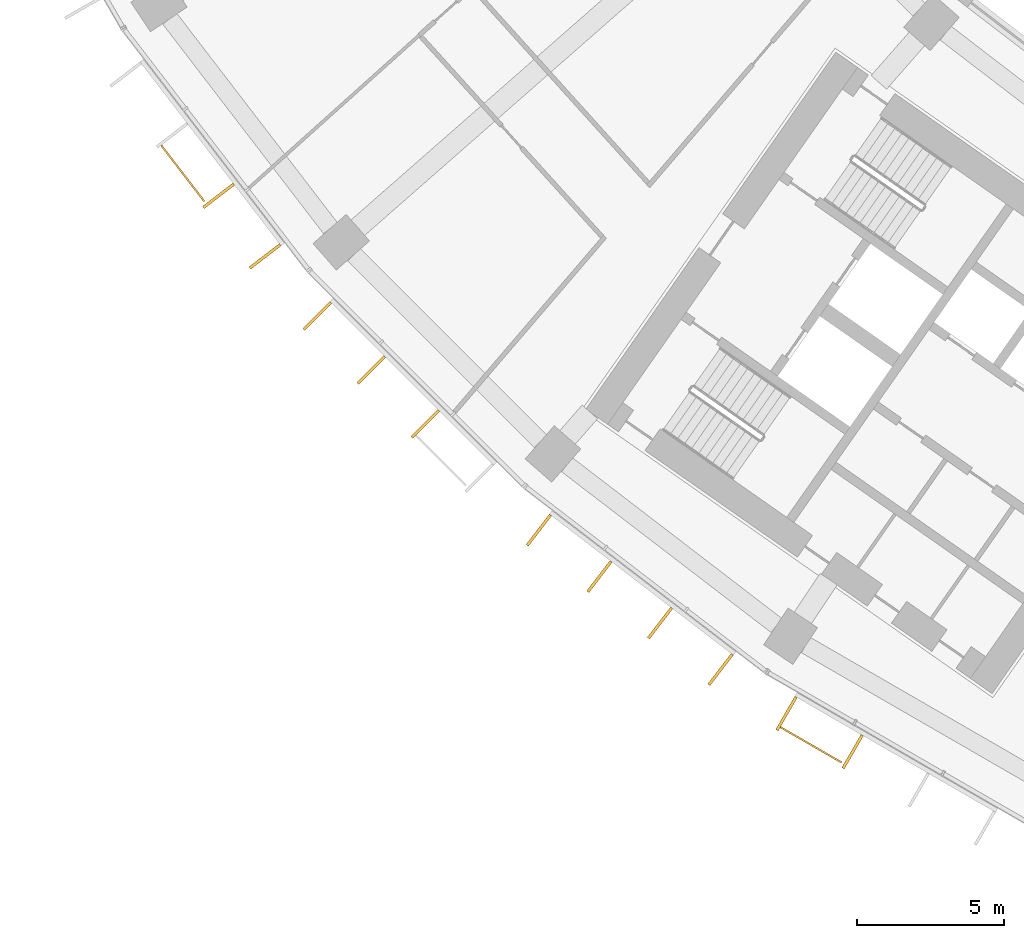
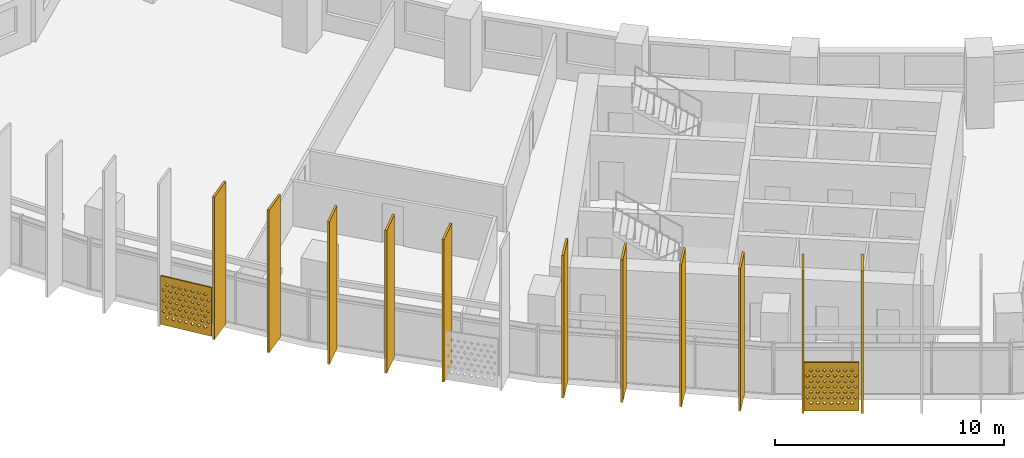
# One storey, part 24 of 30: 13 shading devices.
"""IFC4 building model written with IfcOpenShell, lengths in metres."""

from ifc_helpers import new_model, si_unit, direction, frame, origin, origin_2d, place, context, subcontext, project, spatial, polyline, rectangle, outline, extrude, material, material_profile, profile_set, type_object, element, save


model = new_model("IFC4")

# Units and contexts
model_context = context("Model", 3, precision=1e-05, world=origin(), true_north=direction((0.0, 1.0)))
body_context = subcontext(model_context, "Body", "Model", "MODEL_VIEW")
ifc_project = project(units=[si_unit("LENGTHUNIT", "METRE"), si_unit("AREAUNIT", "SQUARE_METRE"), si_unit("VOLUMEUNIT", "CUBIC_METRE"), si_unit("PLANEANGLEUNIT", "RADIAN"), si_unit("MASSUNIT", "GRAM", prefix="KILO")], contexts=[model_context])

# Site, building, storey
site_placement = place(None, origin())
site = spatial("IfcSite", under=ifc_project, at=site_placement, CompositionType="ELEMENT")
building_placement = place(site_placement, origin())
building = spatial("IfcBuilding", under=site, at=building_placement, Name="Qamariyya Broadcast Tower", CompositionType="ELEMENT")
storey_placement = place(building_placement, frame((0.0, 0.0, 125.300048828125)))
storey = spatial("IfcBuildingStorey", under=building, at=storey_placement, Name="L28", CompositionType="ELEMENT", Elevation=125.300048828125)

# Shading devices
ifc_material_1 = material(Name="Perforated glazed terracotta", Category="masonry")
ifc_material_profile_1 = material_profile(ifc_material_1, outline(polyline([(-1.199951171875, -1.300048828125), (1.199951171875, -1.300048828125), (1.199951171875, 1.300048828125), (-1.199951171875, 1.300048828125), (-1.199951171875, -1.300048828125)]), holes=[polyline([(-0.81494140625, -0.86669921875), (-0.89990234375, -0.78173828125), (-0.985107421875, -0.86669921875), (-0.89990234375, -0.95166015625), (-0.81494140625, -0.86669921875)]), polyline([(-0.514892578125, -0.86669921875), (-0.60009765625, -0.78173828125), (-0.68505859375, -0.86669921875), (-0.60009765625, -0.95166015625), (-0.514892578125, -0.86669921875)]), polyline([(-0.215087890625, -0.86669921875), (-0.300048828125, -0.78173828125), (-0.385009765625, -0.86669921875), (-0.300048828125, -0.95166015625), (-0.215087890625, -0.86669921875)]), polyline([(0.0849609375, -0.86669921875), (0.0, -0.78173828125), (-0.0849609375, -0.86669921875), (0.0, -0.95166015625), (0.0849609375, -0.86669921875)]), polyline([(0.385009765625, -0.86669921875), (0.300048828125, -0.78173828125), (0.215087890625, -0.86669921875), (0.300048828125, -0.95166015625), (0.385009765625, -0.86669921875)]), polyline([(0.68505859375, -0.86669921875), (0.60009765625, -0.78173828125), (0.514892578125, -0.86669921875), (0.60009765625, -0.95166015625), (0.68505859375, -0.86669921875)]), polyline([(0.985107421875, -0.86669921875), (0.89990234375, -0.78173828125), (0.81494140625, -0.86669921875), (0.89990234375, -0.95166015625), (0.985107421875, -0.86669921875)]), polyline([(-0.965087890625, -0.577880859375), (-1.050048828125, -0.49267578125), (-1.135009765625, -0.577880859375), (-1.050048828125, -0.662841796875), (-0.965087890625, -0.577880859375)]), polyline([(-0.6650390625, -0.577880859375), (-0.75, -0.49267578125), (-0.8349609375, -0.577880859375), (-0.75, -0.662841796875), (-0.6650390625, -0.577880859375)]), polyline([(-0.364990234375, -0.577880859375), (-0.449951171875, -0.49267578125), (-0.534912109375, -0.577880859375), (-0.449951171875, -0.662841796875), (-0.364990234375, -0.577880859375)]), polyline([(-0.06494140625, -0.577880859375), (-0.14990234375, -0.49267578125), (-0.235107421875, -0.577880859375), (-0.14990234375, -0.662841796875), (-0.06494140625, -0.577880859375)]), polyline([(0.235107421875, -0.577880859375), (0.14990234375, -0.49267578125), (0.06494140625, -0.577880859375), (0.14990234375, -0.662841796875), (0.235107421875, -0.577880859375)]), polyline([(0.534912109375, -0.577880859375), (0.449951171875, -0.49267578125), (0.364990234375, -0.577880859375), (0.449951171875, -0.662841796875), (0.534912109375, -0.577880859375)]), polyline([(0.8349609375, -0.577880859375), (0.75, -0.49267578125), (0.6650390625, -0.577880859375), (0.75, -0.662841796875), (0.8349609375, -0.577880859375)]), polyline([(1.135009765625, -0.577880859375), (1.050048828125, -0.49267578125), (0.965087890625, -0.577880859375), (1.050048828125, -0.662841796875), (1.135009765625, -0.577880859375)]), polyline([(-0.81494140625, -0.288818359375), (-0.89990234375, -0.203857421875), (-0.985107421875, -0.288818359375), (-0.89990234375, -0.373779296875), (-0.81494140625, -0.288818359375)]), polyline([(-0.514892578125, -0.288818359375), (-0.60009765625, -0.203857421875), (-0.68505859375, -0.288818359375), (-0.60009765625, -0.373779296875), (-0.514892578125, -0.288818359375)]), polyline([(-0.215087890625, -0.288818359375), (-0.300048828125, -0.203857421875), (-0.385009765625, -0.288818359375), (-0.300048828125, -0.373779296875), (-0.215087890625, -0.288818359375)]), polyline([(0.0849609375, -0.288818359375), (0.0, -0.203857421875), (-0.0849609375, -0.288818359375), (0.0, -0.373779296875), (0.0849609375, -0.288818359375)]), polyline([(0.385009765625, -0.288818359375), (0.300048828125, -0.203857421875), (0.215087890625, -0.288818359375), (0.300048828125, -0.373779296875), (0.385009765625, -0.288818359375)]), polyline([(0.68505859375, -0.288818359375), (0.60009765625, -0.203857421875), (0.514892578125, -0.288818359375), (0.60009765625, -0.373779296875), (0.68505859375, -0.288818359375)]), polyline([(0.985107421875, -0.288818359375), (0.89990234375, -0.203857421875), (0.81494140625, -0.288818359375), (0.89990234375, -0.373779296875), (0.985107421875, -0.288818359375)]), polyline([(-0.965087890625, 0.0), (-1.050048828125, 0.0849609375), (-1.135009765625, 0.0), (-1.050048828125, -0.0849609375), (-0.965087890625, 0.0)]), polyline([(-0.6650390625, 0.0), (-0.75, 0.0849609375), (-0.8349609375, 0.0), (-0.75, -0.0849609375), (-0.6650390625, 0.0)]), polyline([(-0.364990234375, 0.0), (-0.449951171875, 0.0849609375), (-0.534912109375, 0.0), (-0.449951171875, -0.0849609375), (-0.364990234375, 0.0)]), polyline([(-0.06494140625, 0.0), (-0.14990234375, 0.0849609375), (-0.235107421875, 0.0), (-0.14990234375, -0.0849609375), (-0.06494140625, 0.0)]), polyline([(0.235107421875, 0.0), (0.14990234375, 0.0849609375), (0.06494140625, 0.0), (0.14990234375, -0.0849609375), (0.235107421875, 0.0)]), polyline([(0.534912109375, 0.0), (0.449951171875, 0.0849609375), (0.364990234375, 0.0), (0.449951171875, -0.0849609375), (0.534912109375, 0.0)]), polyline([(0.8349609375, 0.0), (0.75, 0.0849609375), (0.6650390625, 0.0), (0.75, -0.0849609375), (0.8349609375, 0.0)]), polyline([(1.135009765625, 0.0), (1.050048828125, 0.0849609375), (0.965087890625, 0.0), (1.050048828125, -0.0849609375), (1.135009765625, 0.0)]), polyline([(-0.81494140625, 0.288818359375), (-0.89990234375, 0.373779296875), (-0.985107421875, 0.288818359375), (-0.89990234375, 0.203857421875), (-0.81494140625, 0.288818359375)]), polyline([(-0.514892578125, 0.288818359375), (-0.60009765625, 0.373779296875), (-0.68505859375, 0.288818359375), (-0.60009765625, 0.203857421875), (-0.514892578125, 0.288818359375)]), polyline([(-0.215087890625, 0.288818359375), (-0.300048828125, 0.373779296875), (-0.385009765625, 0.288818359375), (-0.300048828125, 0.203857421875), (-0.215087890625, 0.288818359375)]), polyline([(0.0849609375, 0.288818359375), (0.0, 0.373779296875), (-0.0849609375, 0.288818359375), (0.0, 0.203857421875), (0.0849609375, 0.288818359375)]), polyline([(0.385009765625, 0.288818359375), (0.300048828125, 0.373779296875), (0.215087890625, 0.288818359375), (0.300048828125, 0.203857421875), (0.385009765625, 0.288818359375)]), polyline([(0.68505859375, 0.288818359375), (0.60009765625, 0.373779296875), (0.514892578125, 0.288818359375), (0.60009765625, 0.203857421875), (0.68505859375, 0.288818359375)]), polyline([(0.985107421875, 0.288818359375), (0.89990234375, 0.373779296875), (0.81494140625, 0.288818359375), (0.89990234375, 0.203857421875), (0.985107421875, 0.288818359375)]), polyline([(-0.965087890625, 0.577880859375), (-1.050048828125, 0.662841796875), (-1.135009765625, 0.577880859375), (-1.050048828125, 0.49267578125), (-0.965087890625, 0.577880859375)]), polyline([(-0.6650390625, 0.577880859375), (-0.75, 0.662841796875), (-0.8349609375, 0.577880859375), (-0.75, 0.49267578125), (-0.6650390625, 0.577880859375)]), polyline([(-0.364990234375, 0.577880859375), (-0.449951171875, 0.662841796875), (-0.534912109375, 0.577880859375), (-0.449951171875, 0.49267578125), (-0.364990234375, 0.577880859375)]), polyline([(-0.06494140625, 0.577880859375), (-0.14990234375, 0.662841796875), (-0.235107421875, 0.577880859375), (-0.14990234375, 0.49267578125), (-0.06494140625, 0.577880859375)]), polyline([(0.235107421875, 0.577880859375), (0.14990234375, 0.662841796875), (0.06494140625, 0.577880859375), (0.14990234375, 0.49267578125), (0.235107421875, 0.577880859375)]), polyline([(0.534912109375, 0.577880859375), (0.449951171875, 0.662841796875), (0.364990234375, 0.577880859375), (0.449951171875, 0.49267578125), (0.534912109375, 0.577880859375)]), polyline([(0.8349609375, 0.577880859375), (0.75, 0.662841796875), (0.6650390625, 0.577880859375), (0.75, 0.49267578125), (0.8349609375, 0.577880859375)]), polyline([(1.135009765625, 0.577880859375), (1.050048828125, 0.662841796875), (0.965087890625, 0.577880859375), (1.050048828125, 0.49267578125), (1.135009765625, 0.577880859375)]), polyline([(-0.81494140625, 0.86669921875), (-0.89990234375, 0.95166015625), (-0.985107421875, 0.86669921875), (-0.89990234375, 0.78173828125), (-0.81494140625, 0.86669921875)]), polyline([(-0.514892578125, 0.86669921875), (-0.60009765625, 0.95166015625), (-0.68505859375, 0.86669921875), (-0.60009765625, 0.78173828125), (-0.514892578125, 0.86669921875)]), polyline([(-0.215087890625, 0.86669921875), (-0.300048828125, 0.95166015625), (-0.385009765625, 0.86669921875), (-0.300048828125, 0.78173828125), (-0.215087890625, 0.86669921875)]), polyline([(0.0849609375, 0.86669921875), (0.0, 0.95166015625), (-0.0849609375, 0.86669921875), (0.0, 0.78173828125), (0.0849609375, 0.86669921875)]), polyline([(0.385009765625, 0.86669921875), (0.300048828125, 0.95166015625), (0.215087890625, 0.86669921875), (0.300048828125, 0.78173828125), (0.385009765625, 0.86669921875)]), polyline([(0.68505859375, 0.86669921875), (0.60009765625, 0.95166015625), (0.514892578125, 0.86669921875), (0.60009765625, 0.78173828125), (0.68505859375, 0.86669921875)]), polyline([(0.985107421875, 0.86669921875), (0.89990234375, 0.95166015625), (0.81494140625, 0.86669921875), (0.89990234375, 0.78173828125), (0.985107421875, 0.86669921875)])]))
ifc_profile_set_1 = profile_set([ifc_material_profile_1], Name="Perforated glazed terracotta")
shading_device_type_1 = type_object("IfcShadingDeviceType", Name="Perforated terracotta screen 2400 x 2600", PredefinedType="USERDEFINED", material=ifc_profile_set_1)
shading_device_1_placement = place(storey_placement, frame((-63.814208984375, -48.907470703125, 1.349853515625), z_axis=(-0.792623989105, -0.60971076085, 0.0), x_axis=(0.60971076085, -0.792623989105, 0.0)))
element("IfcShadingDevice", 1, at=shading_device_1_placement, inside=storey, type_object=shading_device_type_1, Name="e-scr-L28-02-1", ObjectType="SCREEN", PredefinedType="USERDEFINED", context=body_context, shape_type="SweptSolid", body=[
    extrude(outline(polyline([(-1.199951171875, -1.300048828125), (1.199951171875, -1.300048828125), (1.199951171875, 1.300048828125), (-1.199951171875, 1.300048828125), (-1.199951171875, -1.300048828125)]), holes=[polyline([(-0.81494140625, -0.86669921875), (-0.89990234375, -0.78173828125), (-0.985107421875, -0.86669921875), (-0.89990234375, -0.95166015625), (-0.81494140625, -0.86669921875)]), polyline([(-0.514892578125, -0.86669921875), (-0.60009765625, -0.78173828125), (-0.68505859375, -0.86669921875), (-0.60009765625, -0.95166015625), (-0.514892578125, -0.86669921875)]), polyline([(-0.215087890625, -0.86669921875), (-0.300048828125, -0.78173828125), (-0.385009765625, -0.86669921875), (-0.300048828125, -0.95166015625), (-0.215087890625, -0.86669921875)]), polyline([(0.0849609375, -0.86669921875), (0.0, -0.78173828125), (-0.0849609375, -0.86669921875), (0.0, -0.95166015625), (0.0849609375, -0.86669921875)]), polyline([(0.385009765625, -0.86669921875), (0.300048828125, -0.78173828125), (0.215087890625, -0.86669921875), (0.300048828125, -0.95166015625), (0.385009765625, -0.86669921875)]), polyline([(0.68505859375, -0.86669921875), (0.60009765625, -0.78173828125), (0.514892578125, -0.86669921875), (0.60009765625, -0.95166015625), (0.68505859375, -0.86669921875)]), polyline([(0.985107421875, -0.86669921875), (0.89990234375, -0.78173828125), (0.81494140625, -0.86669921875), (0.89990234375, -0.95166015625), (0.985107421875, -0.86669921875)]), polyline([(-0.965087890625, -0.577880859375), (-1.050048828125, -0.49267578125), (-1.135009765625, -0.577880859375), (-1.050048828125, -0.662841796875), (-0.965087890625, -0.577880859375)]), polyline([(-0.6650390625, -0.577880859375), (-0.75, -0.49267578125), (-0.8349609375, -0.577880859375), (-0.75, -0.662841796875), (-0.6650390625, -0.577880859375)]), polyline([(-0.364990234375, -0.577880859375), (-0.449951171875, -0.49267578125), (-0.534912109375, -0.577880859375), (-0.449951171875, -0.662841796875), (-0.364990234375, -0.577880859375)]), polyline([(-0.06494140625, -0.577880859375), (-0.14990234375, -0.49267578125), (-0.235107421875, -0.577880859375), (-0.14990234375, -0.662841796875), (-0.06494140625, -0.577880859375)]), polyline([(0.235107421875, -0.577880859375), (0.14990234375, -0.49267578125), (0.06494140625, -0.577880859375), (0.14990234375, -0.662841796875), (0.235107421875, -0.577880859375)]), polyline([(0.534912109375, -0.577880859375), (0.449951171875, -0.49267578125), (0.364990234375, -0.577880859375), (0.449951171875, -0.662841796875), (0.534912109375, -0.577880859375)]), polyline([(0.8349609375, -0.577880859375), (0.75, -0.49267578125), (0.6650390625, -0.577880859375), (0.75, -0.662841796875), (0.8349609375, -0.577880859375)]), polyline([(1.135009765625, -0.577880859375), (1.050048828125, -0.49267578125), (0.965087890625, -0.577880859375), (1.050048828125, -0.662841796875), (1.135009765625, -0.577880859375)]), polyline([(-0.81494140625, -0.288818359375), (-0.89990234375, -0.203857421875), (-0.985107421875, -0.288818359375), (-0.89990234375, -0.373779296875), (-0.81494140625, -0.288818359375)]), polyline([(-0.514892578125, -0.288818359375), (-0.60009765625, -0.203857421875), (-0.68505859375, -0.288818359375), (-0.60009765625, -0.373779296875), (-0.514892578125, -0.288818359375)]), polyline([(-0.215087890625, -0.288818359375), (-0.300048828125, -0.203857421875), (-0.385009765625, -0.288818359375), (-0.300048828125, -0.373779296875), (-0.215087890625, -0.288818359375)]), polyline([(0.0849609375, -0.288818359375), (0.0, -0.203857421875), (-0.0849609375, -0.288818359375), (0.0, -0.373779296875), (0.0849609375, -0.288818359375)]), polyline([(0.385009765625, -0.288818359375), (0.300048828125, -0.203857421875), (0.215087890625, -0.288818359375), (0.300048828125, -0.373779296875), (0.385009765625, -0.288818359375)]), polyline([(0.68505859375, -0.288818359375), (0.60009765625, -0.203857421875), (0.514892578125, -0.288818359375), (0.60009765625, -0.373779296875), (0.68505859375, -0.288818359375)]), polyline([(0.985107421875, -0.288818359375), (0.89990234375, -0.203857421875), (0.81494140625, -0.288818359375), (0.89990234375, -0.373779296875), (0.985107421875, -0.288818359375)]), polyline([(-0.965087890625, 0.0), (-1.050048828125, 0.0849609375), (-1.135009765625, 0.0), (-1.050048828125, -0.0849609375), (-0.965087890625, 0.0)]), polyline([(-0.6650390625, 0.0), (-0.75, 0.0849609375), (-0.8349609375, 0.0), (-0.75, -0.0849609375), (-0.6650390625, 0.0)]), polyline([(-0.364990234375, 0.0), (-0.449951171875, 0.0849609375), (-0.534912109375, 0.0), (-0.449951171875, -0.0849609375), (-0.364990234375, 0.0)]), polyline([(-0.06494140625, 0.0), (-0.14990234375, 0.0849609375), (-0.235107421875, 0.0), (-0.14990234375, -0.0849609375), (-0.06494140625, 0.0)]), polyline([(0.235107421875, 0.0), (0.14990234375, 0.0849609375), (0.06494140625, 0.0), (0.14990234375, -0.0849609375), (0.235107421875, 0.0)]), polyline([(0.534912109375, 0.0), (0.449951171875, 0.0849609375), (0.364990234375, 0.0), (0.449951171875, -0.0849609375), (0.534912109375, 0.0)]), polyline([(0.8349609375, 0.0), (0.75, 0.0849609375), (0.6650390625, 0.0), (0.75, -0.0849609375), (0.8349609375, 0.0)]), polyline([(1.135009765625, 0.0), (1.050048828125, 0.0849609375), (0.965087890625, 0.0), (1.050048828125, -0.0849609375), (1.135009765625, 0.0)]), polyline([(-0.81494140625, 0.288818359375), (-0.89990234375, 0.373779296875), (-0.985107421875, 0.288818359375), (-0.89990234375, 0.203857421875), (-0.81494140625, 0.288818359375)]), polyline([(-0.514892578125, 0.288818359375), (-0.60009765625, 0.373779296875), (-0.68505859375, 0.288818359375), (-0.60009765625, 0.203857421875), (-0.514892578125, 0.288818359375)]), polyline([(-0.215087890625, 0.288818359375), (-0.300048828125, 0.373779296875), (-0.385009765625, 0.288818359375), (-0.300048828125, 0.203857421875), (-0.215087890625, 0.288818359375)]), polyline([(0.0849609375, 0.288818359375), (0.0, 0.373779296875), (-0.0849609375, 0.288818359375), (0.0, 0.203857421875), (0.0849609375, 0.288818359375)]), polyline([(0.385009765625, 0.288818359375), (0.300048828125, 0.373779296875), (0.215087890625, 0.288818359375), (0.300048828125, 0.203857421875), (0.385009765625, 0.288818359375)]), polyline([(0.68505859375, 0.288818359375), (0.60009765625, 0.373779296875), (0.514892578125, 0.288818359375), (0.60009765625, 0.203857421875), (0.68505859375, 0.288818359375)]), polyline([(0.985107421875, 0.288818359375), (0.89990234375, 0.373779296875), (0.81494140625, 0.288818359375), (0.89990234375, 0.203857421875), (0.985107421875, 0.288818359375)]), polyline([(-0.965087890625, 0.577880859375), (-1.050048828125, 0.662841796875), (-1.135009765625, 0.577880859375), (-1.050048828125, 0.49267578125), (-0.965087890625, 0.577880859375)]), polyline([(-0.6650390625, 0.577880859375), (-0.75, 0.662841796875), (-0.8349609375, 0.577880859375), (-0.75, 0.49267578125), (-0.6650390625, 0.577880859375)]), polyline([(-0.364990234375, 0.577880859375), (-0.449951171875, 0.662841796875), (-0.534912109375, 0.577880859375), (-0.449951171875, 0.49267578125), (-0.364990234375, 0.577880859375)]), polyline([(-0.06494140625, 0.577880859375), (-0.14990234375, 0.662841796875), (-0.235107421875, 0.577880859375), (-0.14990234375, 0.49267578125), (-0.06494140625, 0.577880859375)]), polyline([(0.235107421875, 0.577880859375), (0.14990234375, 0.662841796875), (0.06494140625, 0.577880859375), (0.14990234375, 0.49267578125), (0.235107421875, 0.577880859375)]), polyline([(0.534912109375, 0.577880859375), (0.449951171875, 0.662841796875), (0.364990234375, 0.577880859375), (0.449951171875, 0.49267578125), (0.534912109375, 0.577880859375)]), polyline([(0.8349609375, 0.577880859375), (0.75, 0.662841796875), (0.6650390625, 0.577880859375), (0.75, 0.49267578125), (0.8349609375, 0.577880859375)]), polyline([(1.135009765625, 0.577880859375), (1.050048828125, 0.662841796875), (0.965087890625, 0.577880859375), (1.050048828125, 0.49267578125), (1.135009765625, 0.577880859375)]), polyline([(-0.81494140625, 0.86669921875), (-0.89990234375, 0.95166015625), (-0.985107421875, 0.86669921875), (-0.89990234375, 0.78173828125), (-0.81494140625, 0.86669921875)]), polyline([(-0.514892578125, 0.86669921875), (-0.60009765625, 0.95166015625), (-0.68505859375, 0.86669921875), (-0.60009765625, 0.78173828125), (-0.514892578125, 0.86669921875)]), polyline([(-0.215087890625, 0.86669921875), (-0.300048828125, 0.95166015625), (-0.385009765625, 0.86669921875), (-0.300048828125, 0.78173828125), (-0.215087890625, 0.86669921875)]), polyline([(0.0849609375, 0.86669921875), (0.0, 0.95166015625), (-0.0849609375, 0.86669921875), (0.0, 0.78173828125), (0.0849609375, 0.86669921875)]), polyline([(0.385009765625, 0.86669921875), (0.300048828125, 0.95166015625), (0.215087890625, 0.86669921875), (0.300048828125, 0.78173828125), (0.385009765625, 0.86669921875)]), polyline([(0.68505859375, 0.86669921875), (0.60009765625, 0.95166015625), (0.514892578125, 0.86669921875), (0.60009765625, 0.78173828125), (0.68505859375, 0.86669921875)]), polyline([(0.985107421875, 0.86669921875), (0.89990234375, 0.95166015625), (0.81494140625, 0.86669921875), (0.89990234375, 0.78173828125), (0.985107421875, 0.86669921875)])]), origin(), (0.0, 0.0, 1.0), 0.06005859375),
])
shading_device_2_placement = place(storey_placement, frame((-42.486328125, -68.30859375, 1.349853515625), z_axis=(-0.500074377092, -0.865982457891, 0.0), x_axis=(0.865982457891, -0.500074377092, 0.0)))
element("IfcShadingDevice", 2, at=shading_device_2_placement, inside=storey, type_object=shading_device_type_1, Name="e-scr-L28-05-0", ObjectType="SCREEN", PredefinedType="USERDEFINED", context=body_context, shape_type="SweptSolid", body=[
    extrude(outline(polyline([(-1.199951171875, -1.300048828125), (1.199951171875, -1.300048828125), (1.199951171875, 1.300048828125), (-1.199951171875, 1.300048828125), (-1.199951171875, -1.300048828125)]), holes=[polyline([(-0.81494140625, -0.86669921875), (-0.89990234375, -0.78173828125), (-0.985107421875, -0.86669921875), (-0.89990234375, -0.95166015625), (-0.81494140625, -0.86669921875)]), polyline([(-0.514892578125, -0.86669921875), (-0.60009765625, -0.78173828125), (-0.68505859375, -0.86669921875), (-0.60009765625, -0.95166015625), (-0.514892578125, -0.86669921875)]), polyline([(-0.215087890625, -0.86669921875), (-0.300048828125, -0.78173828125), (-0.385009765625, -0.86669921875), (-0.300048828125, -0.95166015625), (-0.215087890625, -0.86669921875)]), polyline([(0.0849609375, -0.86669921875), (0.0, -0.78173828125), (-0.0849609375, -0.86669921875), (0.0, -0.95166015625), (0.0849609375, -0.86669921875)]), polyline([(0.385009765625, -0.86669921875), (0.300048828125, -0.78173828125), (0.215087890625, -0.86669921875), (0.300048828125, -0.95166015625), (0.385009765625, -0.86669921875)]), polyline([(0.68505859375, -0.86669921875), (0.60009765625, -0.78173828125), (0.514892578125, -0.86669921875), (0.60009765625, -0.95166015625), (0.68505859375, -0.86669921875)]), polyline([(0.985107421875, -0.86669921875), (0.89990234375, -0.78173828125), (0.81494140625, -0.86669921875), (0.89990234375, -0.95166015625), (0.985107421875, -0.86669921875)]), polyline([(-0.965087890625, -0.577880859375), (-1.050048828125, -0.49267578125), (-1.135009765625, -0.577880859375), (-1.050048828125, -0.662841796875), (-0.965087890625, -0.577880859375)]), polyline([(-0.6650390625, -0.577880859375), (-0.75, -0.49267578125), (-0.8349609375, -0.577880859375), (-0.75, -0.662841796875), (-0.6650390625, -0.577880859375)]), polyline([(-0.364990234375, -0.577880859375), (-0.449951171875, -0.49267578125), (-0.534912109375, -0.577880859375), (-0.449951171875, -0.662841796875), (-0.364990234375, -0.577880859375)]), polyline([(-0.06494140625, -0.577880859375), (-0.14990234375, -0.49267578125), (-0.235107421875, -0.577880859375), (-0.14990234375, -0.662841796875), (-0.06494140625, -0.577880859375)]), polyline([(0.235107421875, -0.577880859375), (0.14990234375, -0.49267578125), (0.06494140625, -0.577880859375), (0.14990234375, -0.662841796875), (0.235107421875, -0.577880859375)]), polyline([(0.534912109375, -0.577880859375), (0.449951171875, -0.49267578125), (0.364990234375, -0.577880859375), (0.449951171875, -0.662841796875), (0.534912109375, -0.577880859375)]), polyline([(0.8349609375, -0.577880859375), (0.75, -0.49267578125), (0.6650390625, -0.577880859375), (0.75, -0.662841796875), (0.8349609375, -0.577880859375)]), polyline([(1.135009765625, -0.577880859375), (1.050048828125, -0.49267578125), (0.965087890625, -0.577880859375), (1.050048828125, -0.662841796875), (1.135009765625, -0.577880859375)]), polyline([(-0.81494140625, -0.288818359375), (-0.89990234375, -0.203857421875), (-0.985107421875, -0.288818359375), (-0.89990234375, -0.373779296875), (-0.81494140625, -0.288818359375)]), polyline([(-0.514892578125, -0.288818359375), (-0.60009765625, -0.203857421875), (-0.68505859375, -0.288818359375), (-0.60009765625, -0.373779296875), (-0.514892578125, -0.288818359375)]), polyline([(-0.215087890625, -0.288818359375), (-0.300048828125, -0.203857421875), (-0.385009765625, -0.288818359375), (-0.300048828125, -0.373779296875), (-0.215087890625, -0.288818359375)]), polyline([(0.0849609375, -0.288818359375), (0.0, -0.203857421875), (-0.0849609375, -0.288818359375), (0.0, -0.373779296875), (0.0849609375, -0.288818359375)]), polyline([(0.385009765625, -0.288818359375), (0.300048828125, -0.203857421875), (0.215087890625, -0.288818359375), (0.300048828125, -0.373779296875), (0.385009765625, -0.288818359375)]), polyline([(0.68505859375, -0.288818359375), (0.60009765625, -0.203857421875), (0.514892578125, -0.288818359375), (0.60009765625, -0.373779296875), (0.68505859375, -0.288818359375)]), polyline([(0.985107421875, -0.288818359375), (0.89990234375, -0.203857421875), (0.81494140625, -0.288818359375), (0.89990234375, -0.373779296875), (0.985107421875, -0.288818359375)]), polyline([(-0.965087890625, 0.0), (-1.050048828125, 0.0849609375), (-1.135009765625, 0.0), (-1.050048828125, -0.0849609375), (-0.965087890625, 0.0)]), polyline([(-0.6650390625, 0.0), (-0.75, 0.0849609375), (-0.8349609375, 0.0), (-0.75, -0.0849609375), (-0.6650390625, 0.0)]), polyline([(-0.364990234375, 0.0), (-0.449951171875, 0.0849609375), (-0.534912109375, 0.0), (-0.449951171875, -0.0849609375), (-0.364990234375, 0.0)]), polyline([(-0.06494140625, 0.0), (-0.14990234375, 0.0849609375), (-0.235107421875, 0.0), (-0.14990234375, -0.0849609375), (-0.06494140625, 0.0)]), polyline([(0.235107421875, 0.0), (0.14990234375, 0.0849609375), (0.06494140625, 0.0), (0.14990234375, -0.0849609375), (0.235107421875, 0.0)]), polyline([(0.534912109375, 0.0), (0.449951171875, 0.0849609375), (0.364990234375, 0.0), (0.449951171875, -0.0849609375), (0.534912109375, 0.0)]), polyline([(0.8349609375, 0.0), (0.75, 0.0849609375), (0.6650390625, 0.0), (0.75, -0.0849609375), (0.8349609375, 0.0)]), polyline([(1.135009765625, 0.0), (1.050048828125, 0.0849609375), (0.965087890625, 0.0), (1.050048828125, -0.0849609375), (1.135009765625, 0.0)]), polyline([(-0.81494140625, 0.288818359375), (-0.89990234375, 0.373779296875), (-0.985107421875, 0.288818359375), (-0.89990234375, 0.203857421875), (-0.81494140625, 0.288818359375)]), polyline([(-0.514892578125, 0.288818359375), (-0.60009765625, 0.373779296875), (-0.68505859375, 0.288818359375), (-0.60009765625, 0.203857421875), (-0.514892578125, 0.288818359375)]), polyline([(-0.215087890625, 0.288818359375), (-0.300048828125, 0.373779296875), (-0.385009765625, 0.288818359375), (-0.300048828125, 0.203857421875), (-0.215087890625, 0.288818359375)]), polyline([(0.0849609375, 0.288818359375), (0.0, 0.373779296875), (-0.0849609375, 0.288818359375), (0.0, 0.203857421875), (0.0849609375, 0.288818359375)]), polyline([(0.385009765625, 0.288818359375), (0.300048828125, 0.373779296875), (0.215087890625, 0.288818359375), (0.300048828125, 0.203857421875), (0.385009765625, 0.288818359375)]), polyline([(0.68505859375, 0.288818359375), (0.60009765625, 0.373779296875), (0.514892578125, 0.288818359375), (0.60009765625, 0.203857421875), (0.68505859375, 0.288818359375)]), polyline([(0.985107421875, 0.288818359375), (0.89990234375, 0.373779296875), (0.81494140625, 0.288818359375), (0.89990234375, 0.203857421875), (0.985107421875, 0.288818359375)]), polyline([(-0.965087890625, 0.577880859375), (-1.050048828125, 0.662841796875), (-1.135009765625, 0.577880859375), (-1.050048828125, 0.49267578125), (-0.965087890625, 0.577880859375)]), polyline([(-0.6650390625, 0.577880859375), (-0.75, 0.662841796875), (-0.8349609375, 0.577880859375), (-0.75, 0.49267578125), (-0.6650390625, 0.577880859375)]), polyline([(-0.364990234375, 0.577880859375), (-0.449951171875, 0.662841796875), (-0.534912109375, 0.577880859375), (-0.449951171875, 0.49267578125), (-0.364990234375, 0.577880859375)]), polyline([(-0.06494140625, 0.577880859375), (-0.14990234375, 0.662841796875), (-0.235107421875, 0.577880859375), (-0.14990234375, 0.49267578125), (-0.06494140625, 0.577880859375)]), polyline([(0.235107421875, 0.577880859375), (0.14990234375, 0.662841796875), (0.06494140625, 0.577880859375), (0.14990234375, 0.49267578125), (0.235107421875, 0.577880859375)]), polyline([(0.534912109375, 0.577880859375), (0.449951171875, 0.662841796875), (0.364990234375, 0.577880859375), (0.449951171875, 0.49267578125), (0.534912109375, 0.577880859375)]), polyline([(0.8349609375, 0.577880859375), (0.75, 0.662841796875), (0.6650390625, 0.577880859375), (0.75, 0.49267578125), (0.8349609375, 0.577880859375)]), polyline([(1.135009765625, 0.577880859375), (1.050048828125, 0.662841796875), (0.965087890625, 0.577880859375), (1.050048828125, 0.49267578125), (1.135009765625, 0.577880859375)]), polyline([(-0.81494140625, 0.86669921875), (-0.89990234375, 0.95166015625), (-0.985107421875, 0.86669921875), (-0.89990234375, 0.78173828125), (-0.81494140625, 0.86669921875)]), polyline([(-0.514892578125, 0.86669921875), (-0.60009765625, 0.95166015625), (-0.68505859375, 0.86669921875), (-0.60009765625, 0.78173828125), (-0.514892578125, 0.86669921875)]), polyline([(-0.215087890625, 0.86669921875), (-0.300048828125, 0.95166015625), (-0.385009765625, 0.86669921875), (-0.300048828125, 0.78173828125), (-0.215087890625, 0.86669921875)]), polyline([(0.0849609375, 0.86669921875), (0.0, 0.95166015625), (-0.0849609375, 0.86669921875), (0.0, 0.78173828125), (0.0849609375, 0.86669921875)]), polyline([(0.385009765625, 0.86669921875), (0.300048828125, 0.95166015625), (0.215087890625, 0.86669921875), (0.300048828125, 0.78173828125), (0.385009765625, 0.86669921875)]), polyline([(0.68505859375, 0.86669921875), (0.60009765625, 0.95166015625), (0.514892578125, 0.86669921875), (0.60009765625, 0.78173828125), (0.68505859375, 0.86669921875)]), polyline([(0.985107421875, 0.86669921875), (0.89990234375, 0.95166015625), (0.81494140625, 0.86669921875), (0.89990234375, 0.78173828125), (0.985107421875, 0.86669921875)])]), origin(), (0.0, 0.0, 1.0), 0.06005859375),
])
ifc_material_2 = material(Name="Glazed terracotta", Category="masonry")
ifc_material_profile_2 = material_profile(ifc_material_2, rectangle(XDim=1.300048828125, YDim=0.10009765625, at=origin_2d()))
ifc_profile_set_2 = profile_set([ifc_material_profile_2], Name="Glazed terracotta")
shading_device_type_2 = type_object("IfcShadingDeviceType", Name="Terracotta fin 100 x 1300", PredefinedType="USERDEFINED", material=ifc_profile_set_2)
for number, where, z_axis, x_axis, name in (
    (3, (-62.62353515625, -49.68701171875, 0.0), (0.0, 0.0, 1.0), (-0.793353340291, -0.608761429009, 0.0), "e-fin-L28-02-2"),
    (4, (-61.044921875, -51.744384765625, 0.0), (0.0, 0.0, 1.0), (-0.793353340291, -0.608761429009, 0.0), "e-fin-L28-02-3"),
    (5, (-59.269775390625, -53.7685546875, 0.0), (0.0, 0.0, 1.0), (-0.707106781187, -0.707106781187, 0.0), "e-fin-L28-03-0"),
    (6, (-57.43603515625, -55.602294921875, 0.0), (0.0, 0.0, 1.0), (-0.707106781187, -0.707106781187, 0.0), "e-fin-L28-03-1"),
    (7, (-55.602294921875, -57.43603515625, 0.0), (0.0, 0.0, 1.0), (-0.707106781187, -0.707106781187, 0.0), "e-fin-L28-03-2"),
    (8, (-51.744384765625, -61.044921875, 0.0), (0.0, 0.0, 1.0), (-0.608761429009, -0.793353340291, 0.0), "e-fin-L28-04-0"),
    (9, (-49.68701171875, -62.62353515625, 0.0), (0.0, 0.0, 1.0), (-0.608761429009, -0.793353340291, 0.0), "e-fin-L28-04-1"),
    (10, (-47.629638671875, -64.2021484375, 0.0), (0.0, 0.0, 1.0), (-0.608761429009, -0.793353340291, 0.0), "e-fin-L28-04-2"),
    (11, (-45.572509765625, -65.781005859375, 0.0), (0.0, 0.0, 1.0), (-0.608761429009, -0.793353340291, 0.0), "e-fin-L28-04-3"),
    (12, (-43.333740234375, -67.276611328125, 0.0), (0.0, 0.0, 1.0), (-0.5, -0.866025403784, 0.0), "e-fin-L28-05-0"),
    (13, (-41.087890625, -68.5732421875, 0.0), (0.0, 0.0, 1.0), (-0.5, -0.866025403784, 0.0), "e-fin-L28-05-1"),
):
    element("IfcShadingDevice", number, at=place(storey_placement, frame(where, z_axis=z_axis, x_axis=x_axis)), inside=storey, type_object=shading_device_type_2, Name=name, ObjectType="FIN", PredefinedType="USERDEFINED", context=body_context, shape_type="SweptSolid", body=[
        extrude(rectangle(XDim=1.300048828125, YDim=0.10009765625, at=origin_2d()), origin(), (0.0, 0.0, 1.0), 7.599853515625),
    ])

save(model, "model.ifc")
